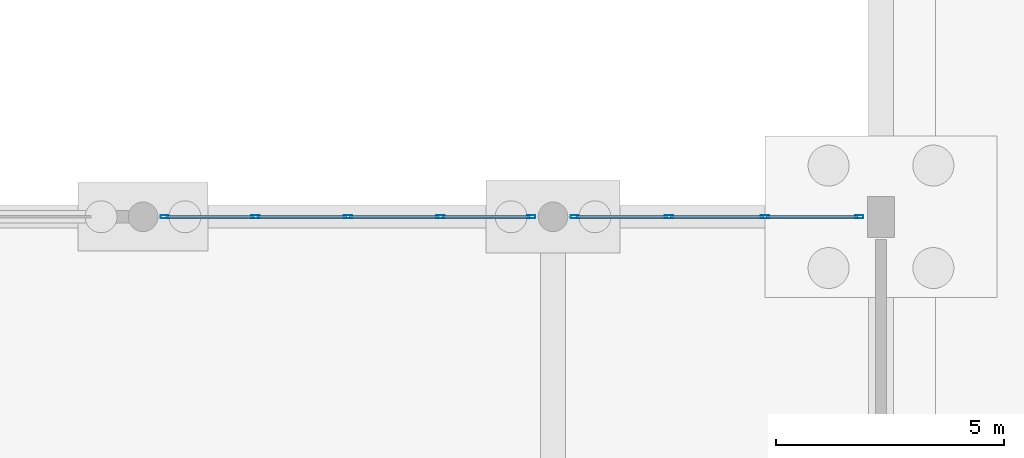
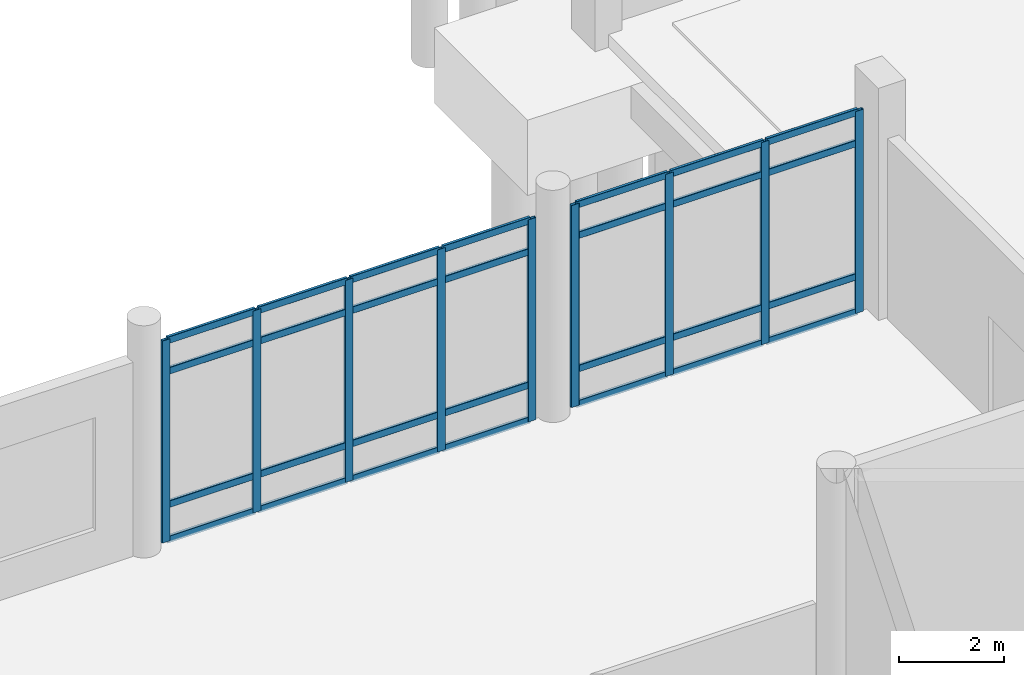
# One storey, part 33 of 109: 37 members, 2 elements without a shape of their own.
"""IFC4 building model written with IfcOpenShell, lengths in metres."""

from ifc_helpers import new_model, si_unit, direction, frame, origin, origin_2d, place, context, subcontext, project, spatial, hollow_rectangle, extrude, material, material_profile, profile_set, type_object, element, aggregate, save


model = new_model("IFC4")

# Units and contexts
model_context = context("Model", 3, precision=1e-05, world=origin(), true_north=direction((0.0, 1.0)))
body_context = subcontext(model_context, "Body", "Model", "MODEL_VIEW")
ifc_project = project(units=[si_unit("LENGTHUNIT", "METRE"), si_unit("AREAUNIT", "SQUARE_METRE"), si_unit("VOLUMEUNIT", "CUBIC_METRE"), si_unit("PLANEANGLEUNIT", "RADIAN"), si_unit("MASSUNIT", "GRAM", prefix="KILO")], contexts=[model_context])

# Site, building, storey
site_placement = place(None, origin())
site = spatial("IfcSite", under=ifc_project, at=site_placement, CompositionType="ELEMENT")
building_placement = place(site_placement, origin())
building = spatial("IfcBuilding", under=site, at=building_placement, Name="Lusvemor Sports Hall", CompositionType="ELEMENT")
storey_placement = place(building_placement, origin())
storey = spatial("IfcBuildingStorey", under=building, at=storey_placement, Name="L00", CompositionType="ELEMENT", Elevation=0.0)

# Curtain wall, members
ifc_material_1 = material(Name="Thermally broken bronze-anodized aluminium", Category="aluminium")
curtain_wall_type = type_object("IfcCurtainWallType", Name="CW_FOYER_A", PredefinedType="NOTDEFINED", material=ifc_material_1)
curtain_wall_1_placement = place(storey_placement, origin())
curtain_wall_1 = element("IfcCurtainWall", 1, at=curtain_wall_1_placement, inside=storey, type_object=curtain_wall_type, Name="Curtain Wall CW-V4N-L00-3", PredefinedType="NOTDEFINED")
ifc_material_2 = material(Name="Thermally broken bronze-anodized aluminium", Category="aluminium")
ifc_material_profile_1 = material_profile(ifc_material_2, hollow_rectangle(XDim=0.070068359375, YDim=0.179931640625, WallThickness=0.0048828125, InnerFilletRadius=0.0048828125, OuterFilletRadius=0.010009765625, at=origin_2d()), Name="CWMUL180x70x5")
ifc_profile_set_1 = profile_set([ifc_material_profile_1], Name="Thermally broken bronze-anodized aluminium")
member_type_1 = type_object("IfcMemberType", Name="CW_MUL_A", PredefinedType="MULLION", material=ifc_profile_set_1)
member_1_placement = place(storey_placement, frame((103.074951171875, 28.800048828125, 0.0), z_axis=(0.0, 0.0, 1.0), x_axis=(0.0, 1.0, 0.0)))
member_1 = element("IfcMember", 2, at=member_1_placement, type_object=member_type_1, Name="CW01 mullion 1", PredefinedType="MULLION", context=body_context, shape_type="SweptSolid", body=[
    extrude(hollow_rectangle(XDim=0.070068359375, YDim=0.179931640625, WallThickness=0.0048828125, InnerFilletRadius=0.0048828125, OuterFilletRadius=0.010009765625, at=origin_2d()), origin(), (0.0, 0.0, 1.0), 4.699951171875),
])
member_2_placement = place(storey_placement, frame((105.070068359375, 28.800048828125, 0.0), z_axis=(0.0, 0.0, 1.0), x_axis=(0.0, 1.0, 0.0)))
member_2 = element("IfcMember", 3, at=member_2_placement, type_object=member_type_1, Name="CW01 mullion 2", PredefinedType="MULLION", context=body_context, shape_type="SweptSolid", body=[
    extrude(hollow_rectangle(XDim=0.070068359375, YDim=0.179931640625, WallThickness=0.0048828125, InnerFilletRadius=0.0048828125, OuterFilletRadius=0.010009765625, at=origin_2d()), origin(), (0.0, 0.0, 1.0), 4.699951171875),
])
member_3_placement = place(storey_placement, frame((107.10009765625, 28.800048828125, 0.0), z_axis=(0.0, 0.0, 1.0), x_axis=(0.0, 1.0, 0.0)))
member_3 = element("IfcMember", 4, at=member_3_placement, type_object=member_type_1, Name="CW01 mullion 3", PredefinedType="MULLION", context=body_context, shape_type="SweptSolid", body=[
    extrude(hollow_rectangle(XDim=0.070068359375, YDim=0.179931640625, WallThickness=0.0048828125, InnerFilletRadius=0.0048828125, OuterFilletRadius=0.010009765625, at=origin_2d()), origin(), (0.0, 0.0, 1.0), 4.699951171875),
])
member_4_placement = place(storey_placement, frame((109.1298828125, 28.800048828125, 0.0), z_axis=(0.0, 0.0, 1.0), x_axis=(0.0, 1.0, 0.0)))
member_4 = element("IfcMember", 5, at=member_4_placement, type_object=member_type_1, Name="CW01 mullion 4", PredefinedType="MULLION", context=body_context, shape_type="SweptSolid", body=[
    extrude(hollow_rectangle(XDim=0.070068359375, YDim=0.179931640625, WallThickness=0.0048828125, InnerFilletRadius=0.0048828125, OuterFilletRadius=0.010009765625, at=origin_2d()), origin(), (0.0, 0.0, 1.0), 4.699951171875),
])
member_5_placement = place(storey_placement, frame((111.125, 28.800048828125, 0.0), z_axis=(0.0, 0.0, 1.0), x_axis=(0.0, 1.0, 0.0)))
member_5 = element("IfcMember", 6, at=member_5_placement, type_object=member_type_1, Name="CW01 mullion 5", PredefinedType="MULLION", context=body_context, shape_type="SweptSolid", body=[
    extrude(hollow_rectangle(XDim=0.070068359375, YDim=0.179931640625, WallThickness=0.0048828125, InnerFilletRadius=0.0048828125, OuterFilletRadius=0.010009765625, at=origin_2d()), origin(), (0.0, 0.0, 1.0), 4.699951171875),
])

curtain_wall_2_placement = place(storey_placement, origin())
curtain_wall_2 = element("IfcCurtainWall", 7, at=curtain_wall_2_placement, inside=storey, type_object=curtain_wall_type, Name="Curtain Wall CW-V4N-L00-4", PredefinedType="NOTDEFINED")
member_6_placement = place(storey_placement, frame((112.074951171875, 28.800048828125, 0.0), z_axis=(0.0, 0.0, 1.0), x_axis=(0.0, 1.0, 0.0)))
member_6 = element("IfcMember", 8, at=member_6_placement, type_object=member_type_1, Name="CW01 mullion 1", PredefinedType="MULLION", context=body_context, shape_type="SweptSolid", body=[
    extrude(hollow_rectangle(XDim=0.070068359375, YDim=0.179931640625, WallThickness=0.0048828125, InnerFilletRadius=0.0048828125, OuterFilletRadius=0.010009765625, at=origin_2d()), origin(), (0.0, 0.0, 1.0), 4.699951171875),
])
member_7_placement = place(storey_placement, frame((114.146728515625, 28.800048828125, 0.0), z_axis=(0.0, 0.0, 1.0), x_axis=(0.0, 1.0, 0.0)))
member_7 = element("IfcMember", 9, at=member_7_placement, type_object=member_type_1, Name="CW01 mullion 2", PredefinedType="MULLION", context=body_context, shape_type="SweptSolid", body=[
    extrude(hollow_rectangle(XDim=0.070068359375, YDim=0.179931640625, WallThickness=0.0048828125, InnerFilletRadius=0.0048828125, OuterFilletRadius=0.010009765625, at=origin_2d()), origin(), (0.0, 0.0, 1.0), 4.699951171875),
])
member_8_placement = place(storey_placement, frame((116.25341796875, 28.800048828125, 0.0), z_axis=(0.0, 0.0, 1.0), x_axis=(0.0, 1.0, 0.0)))
member_8 = element("IfcMember", 10, at=member_8_placement, type_object=member_type_1, Name="CW01 mullion 3", PredefinedType="MULLION", context=body_context, shape_type="SweptSolid", body=[
    extrude(hollow_rectangle(XDim=0.070068359375, YDim=0.179931640625, WallThickness=0.0048828125, InnerFilletRadius=0.0048828125, OuterFilletRadius=0.010009765625, at=origin_2d()), origin(), (0.0, 0.0, 1.0), 4.699951171875),
])
member_9_placement = place(storey_placement, frame((118.324951171875, 28.800048828125, 0.0), z_axis=(0.0, 0.0, 1.0), x_axis=(0.0, 1.0, 0.0)))
member_9 = element("IfcMember", 11, at=member_9_placement, type_object=member_type_1, Name="CW01 mullion 4", PredefinedType="MULLION", context=body_context, shape_type="SweptSolid", body=[
    extrude(hollow_rectangle(XDim=0.070068359375, YDim=0.179931640625, WallThickness=0.0048828125, InnerFilletRadius=0.0048828125, OuterFilletRadius=0.010009765625, at=origin_2d()), origin(), (0.0, 0.0, 1.0), 4.699951171875),
])

# Member
ifc_material_3 = material(Name="Thermally broken bronze-anodized aluminium", Category="aluminium")
ifc_material_profile_2 = material_profile(ifc_material_3, hollow_rectangle(XDim=0.06494140625, YDim=0.159912109375, WallThickness=0.00390625, InnerFilletRadius=0.00390625, OuterFilletRadius=0.008056640625, at=origin_2d()), Name="CWTRN160x65x4")
ifc_profile_set_2 = profile_set([ifc_material_profile_2], Name="Thermally broken bronze-anodized aluminium")
member_type_2 = type_object("IfcMemberType", Name="CW_TRN_A", PredefinedType="USERDEFINED", material=ifc_profile_set_2)
member_10_placement = place(storey_placement, frame((103.110107421875, 28.800048828125, 0.032470703125), z_axis=(1.0, 0.0, 0.0), x_axis=(0.0, 1.0, 0.0)))
member_10 = element("IfcMember", 12, at=member_10_placement, type_object=member_type_2, Name="CW01 transom 1.1", ObjectType="TRANSOM", PredefinedType="USERDEFINED", context=body_context, shape_type="SweptSolid", body=[
    extrude(hollow_rectangle(XDim=0.06494140625, YDim=0.159912109375, WallThickness=0.00390625, InnerFilletRadius=0.00390625, OuterFilletRadius=0.008056640625, at=origin_2d()), origin(), (0.0, 0.0, 1.0), 1.9248046875),
])

member_11_placement = place(storey_placement, frame((103.110107421875, 28.800048828125, 0.85009765625), z_axis=(1.0, 0.0, 0.0), x_axis=(0.0, 1.0, 0.0)))
member_11 = element("IfcMember", 13, at=member_11_placement, type_object=member_type_2, Name="CW01 transom 1.2", ObjectType="TRANSOM", PredefinedType="USERDEFINED", context=body_context, shape_type="SweptSolid", body=[
    extrude(hollow_rectangle(XDim=0.06494140625, YDim=0.159912109375, WallThickness=0.00390625, InnerFilletRadius=0.00390625, OuterFilletRadius=0.008056640625, at=origin_2d()), origin(), (0.0, 0.0, 1.0), 1.9248046875),
])

member_12_placement = place(storey_placement, frame((103.110107421875, 28.800048828125, 3.949951171875), z_axis=(1.0, 0.0, 0.0), x_axis=(0.0, 1.0, 0.0)))
member_12 = element("IfcMember", 14, at=member_12_placement, type_object=member_type_2, Name="CW01 transom 1.3", ObjectType="TRANSOM", PredefinedType="USERDEFINED", context=body_context, shape_type="SweptSolid", body=[
    extrude(hollow_rectangle(XDim=0.06494140625, YDim=0.159912109375, WallThickness=0.00390625, InnerFilletRadius=0.00390625, OuterFilletRadius=0.008056640625, at=origin_2d()), origin(), (0.0, 0.0, 1.0), 1.9248046875),
])

member_13_placement = place(storey_placement, frame((103.110107421875, 28.800048828125, 4.66748046875), z_axis=(1.0, 0.0, 0.0), x_axis=(0.0, 1.0, 0.0)))
member_13 = element("IfcMember", 15, at=member_13_placement, type_object=member_type_2, Name="CW01 transom 1.4", ObjectType="TRANSOM", PredefinedType="USERDEFINED", context=body_context, shape_type="SweptSolid", body=[
    extrude(hollow_rectangle(XDim=0.06494140625, YDim=0.159912109375, WallThickness=0.00390625, InnerFilletRadius=0.00390625, OuterFilletRadius=0.008056640625, at=origin_2d()), origin(), (0.0, 0.0, 1.0), 1.9248046875),
])

member_14_placement = place(storey_placement, frame((105.10498046875, 28.800048828125, 0.032470703125), z_axis=(1.0, 0.0, 0.0), x_axis=(0.0, 1.0, 0.0)))
member_14 = element("IfcMember", 16, at=member_14_placement, type_object=member_type_2, Name="CW01 transom 2.1", ObjectType="TRANSOM", PredefinedType="USERDEFINED", context=body_context, shape_type="SweptSolid", body=[
    extrude(hollow_rectangle(XDim=0.06494140625, YDim=0.159912109375, WallThickness=0.00390625, InnerFilletRadius=0.00390625, OuterFilletRadius=0.008056640625, at=origin_2d()), origin(), (0.0, 0.0, 1.0), 1.9599609375),
])

member_15_placement = place(storey_placement, frame((105.10498046875, 28.800048828125, 0.85009765625), z_axis=(1.0, 0.0, 0.0), x_axis=(0.0, 1.0, 0.0)))
member_15 = element("IfcMember", 17, at=member_15_placement, type_object=member_type_2, Name="CW01 transom 2.2", ObjectType="TRANSOM", PredefinedType="USERDEFINED", context=body_context, shape_type="SweptSolid", body=[
    extrude(hollow_rectangle(XDim=0.06494140625, YDim=0.159912109375, WallThickness=0.00390625, InnerFilletRadius=0.00390625, OuterFilletRadius=0.008056640625, at=origin_2d()), origin(), (0.0, 0.0, 1.0), 1.9599609375),
])

member_16_placement = place(storey_placement, frame((105.10498046875, 28.800048828125, 3.949951171875), z_axis=(1.0, 0.0, 0.0), x_axis=(0.0, 1.0, 0.0)))
member_16 = element("IfcMember", 18, at=member_16_placement, type_object=member_type_2, Name="CW01 transom 2.3", ObjectType="TRANSOM", PredefinedType="USERDEFINED", context=body_context, shape_type="SweptSolid", body=[
    extrude(hollow_rectangle(XDim=0.06494140625, YDim=0.159912109375, WallThickness=0.00390625, InnerFilletRadius=0.00390625, OuterFilletRadius=0.008056640625, at=origin_2d()), origin(), (0.0, 0.0, 1.0), 1.9599609375),
])

member_17_placement = place(storey_placement, frame((105.10498046875, 28.800048828125, 4.66748046875), z_axis=(1.0, 0.0, 0.0), x_axis=(0.0, 1.0, 0.0)))
member_17 = element("IfcMember", 19, at=member_17_placement, type_object=member_type_2, Name="CW01 transom 2.4", ObjectType="TRANSOM", PredefinedType="USERDEFINED", context=body_context, shape_type="SweptSolid", body=[
    extrude(hollow_rectangle(XDim=0.06494140625, YDim=0.159912109375, WallThickness=0.00390625, InnerFilletRadius=0.00390625, OuterFilletRadius=0.008056640625, at=origin_2d()), origin(), (0.0, 0.0, 1.0), 1.9599609375),
])

member_18_placement = place(storey_placement, frame((107.135009765625, 28.800048828125, 0.032470703125), z_axis=(1.0, 0.0, 0.0), x_axis=(0.0, 1.0, 0.0)))
member_18 = element("IfcMember", 20, at=member_18_placement, type_object=member_type_2, Name="CW01 transom 3.1", ObjectType="TRANSOM", PredefinedType="USERDEFINED", context=body_context, shape_type="SweptSolid", body=[
    extrude(hollow_rectangle(XDim=0.06494140625, YDim=0.159912109375, WallThickness=0.00390625, InnerFilletRadius=0.00390625, OuterFilletRadius=0.008056640625, at=origin_2d()), origin(), (0.0, 0.0, 1.0), 1.9599609375),
])

member_19_placement = place(storey_placement, frame((107.135009765625, 28.800048828125, 0.85009765625), z_axis=(1.0, 0.0, 0.0), x_axis=(0.0, 1.0, 0.0)))
member_19 = element("IfcMember", 21, at=member_19_placement, type_object=member_type_2, Name="CW01 transom 3.2", ObjectType="TRANSOM", PredefinedType="USERDEFINED", context=body_context, shape_type="SweptSolid", body=[
    extrude(hollow_rectangle(XDim=0.06494140625, YDim=0.159912109375, WallThickness=0.00390625, InnerFilletRadius=0.00390625, OuterFilletRadius=0.008056640625, at=origin_2d()), origin(), (0.0, 0.0, 1.0), 1.9599609375),
])

member_20_placement = place(storey_placement, frame((107.135009765625, 28.800048828125, 3.949951171875), z_axis=(1.0, 0.0, 0.0), x_axis=(0.0, 1.0, 0.0)))
member_20 = element("IfcMember", 22, at=member_20_placement, type_object=member_type_2, Name="CW01 transom 3.3", ObjectType="TRANSOM", PredefinedType="USERDEFINED", context=body_context, shape_type="SweptSolid", body=[
    extrude(hollow_rectangle(XDim=0.06494140625, YDim=0.159912109375, WallThickness=0.00390625, InnerFilletRadius=0.00390625, OuterFilletRadius=0.008056640625, at=origin_2d()), origin(), (0.0, 0.0, 1.0), 1.9599609375),
])

member_21_placement = place(storey_placement, frame((107.135009765625, 28.800048828125, 4.66748046875), z_axis=(1.0, 0.0, 0.0), x_axis=(0.0, 1.0, 0.0)))
member_21 = element("IfcMember", 23, at=member_21_placement, type_object=member_type_2, Name="CW01 transom 3.4", ObjectType="TRANSOM", PredefinedType="USERDEFINED", context=body_context, shape_type="SweptSolid", body=[
    extrude(hollow_rectangle(XDim=0.06494140625, YDim=0.159912109375, WallThickness=0.00390625, InnerFilletRadius=0.00390625, OuterFilletRadius=0.008056640625, at=origin_2d()), origin(), (0.0, 0.0, 1.0), 1.9599609375),
])

member_22_placement = place(storey_placement, frame((109.1650390625, 28.800048828125, 0.032470703125), z_axis=(1.0, 0.0, 0.0), x_axis=(0.0, 1.0, 0.0)))
member_22 = element("IfcMember", 24, at=member_22_placement, type_object=member_type_2, Name="CW01 transom 4.1", ObjectType="TRANSOM", PredefinedType="USERDEFINED", context=body_context, shape_type="SweptSolid", body=[
    extrude(hollow_rectangle(XDim=0.06494140625, YDim=0.159912109375, WallThickness=0.00390625, InnerFilletRadius=0.00390625, OuterFilletRadius=0.008056640625, at=origin_2d()), origin(), (0.0, 0.0, 1.0), 1.925048828125),
])

member_23_placement = place(storey_placement, frame((109.1650390625, 28.800048828125, 0.85009765625), z_axis=(1.0, 0.0, 0.0), x_axis=(0.0, 1.0, 0.0)))
member_23 = element("IfcMember", 25, at=member_23_placement, type_object=member_type_2, Name="CW01 transom 4.2", ObjectType="TRANSOM", PredefinedType="USERDEFINED", context=body_context, shape_type="SweptSolid", body=[
    extrude(hollow_rectangle(XDim=0.06494140625, YDim=0.159912109375, WallThickness=0.00390625, InnerFilletRadius=0.00390625, OuterFilletRadius=0.008056640625, at=origin_2d()), origin(), (0.0, 0.0, 1.0), 1.925048828125),
])

member_24_placement = place(storey_placement, frame((109.1650390625, 28.800048828125, 3.949951171875), z_axis=(1.0, 0.0, 0.0), x_axis=(0.0, 1.0, 0.0)))
member_24 = element("IfcMember", 26, at=member_24_placement, type_object=member_type_2, Name="CW01 transom 4.3", ObjectType="TRANSOM", PredefinedType="USERDEFINED", context=body_context, shape_type="SweptSolid", body=[
    extrude(hollow_rectangle(XDim=0.06494140625, YDim=0.159912109375, WallThickness=0.00390625, InnerFilletRadius=0.00390625, OuterFilletRadius=0.008056640625, at=origin_2d()), origin(), (0.0, 0.0, 1.0), 1.925048828125),
])

member_25_placement = place(storey_placement, frame((109.1650390625, 28.800048828125, 4.66748046875), z_axis=(1.0, 0.0, 0.0), x_axis=(0.0, 1.0, 0.0)))
member_25 = element("IfcMember", 27, at=member_25_placement, type_object=member_type_2, Name="CW01 transom 4.4", ObjectType="TRANSOM", PredefinedType="USERDEFINED", context=body_context, shape_type="SweptSolid", body=[
    extrude(hollow_rectangle(XDim=0.06494140625, YDim=0.159912109375, WallThickness=0.00390625, InnerFilletRadius=0.00390625, OuterFilletRadius=0.008056640625, at=origin_2d()), origin(), (0.0, 0.0, 1.0), 1.925048828125),
])

aggregate(curtain_wall_1, [member_1, member_2, member_3, member_4, member_5, member_10, member_11, member_12, member_13, member_14, member_15, member_16, member_17, member_18, member_19, member_20, member_21, member_22, member_23, member_24, member_25])

member_26_placement = place(storey_placement, frame((112.110107421875, 28.800048828125, 0.032470703125), z_axis=(1.0, 0.0, 0.0), x_axis=(0.0, 1.0, 0.0)))
member_26 = element("IfcMember", 28, at=member_26_placement, type_object=member_type_2, Name="CW01 transom 1.1", ObjectType="TRANSOM", PredefinedType="USERDEFINED", context=body_context, shape_type="SweptSolid", body=[
    extrude(hollow_rectangle(XDim=0.06494140625, YDim=0.159912109375, WallThickness=0.00390625, InnerFilletRadius=0.00390625, OuterFilletRadius=0.008056640625, at=origin_2d()), origin(), (0.0, 0.0, 1.0), 2.00146484375),
])

member_27_placement = place(storey_placement, frame((112.110107421875, 28.800048828125, 0.85009765625), z_axis=(1.0, 0.0, 0.0), x_axis=(0.0, 1.0, 0.0)))
member_27 = element("IfcMember", 29, at=member_27_placement, type_object=member_type_2, Name="CW01 transom 1.2", ObjectType="TRANSOM", PredefinedType="USERDEFINED", context=body_context, shape_type="SweptSolid", body=[
    extrude(hollow_rectangle(XDim=0.06494140625, YDim=0.159912109375, WallThickness=0.00390625, InnerFilletRadius=0.00390625, OuterFilletRadius=0.008056640625, at=origin_2d()), origin(), (0.0, 0.0, 1.0), 2.00146484375),
])

member_28_placement = place(storey_placement, frame((112.110107421875, 28.800048828125, 3.949951171875), z_axis=(1.0, 0.0, 0.0), x_axis=(0.0, 1.0, 0.0)))
member_28 = element("IfcMember", 30, at=member_28_placement, type_object=member_type_2, Name="CW01 transom 1.3", ObjectType="TRANSOM", PredefinedType="USERDEFINED", context=body_context, shape_type="SweptSolid", body=[
    extrude(hollow_rectangle(XDim=0.06494140625, YDim=0.159912109375, WallThickness=0.00390625, InnerFilletRadius=0.00390625, OuterFilletRadius=0.008056640625, at=origin_2d()), origin(), (0.0, 0.0, 1.0), 2.00146484375),
])

member_29_placement = place(storey_placement, frame((112.110107421875, 28.800048828125, 4.66748046875), z_axis=(1.0, 0.0, 0.0), x_axis=(0.0, 1.0, 0.0)))
member_29 = element("IfcMember", 31, at=member_29_placement, type_object=member_type_2, Name="CW01 transom 1.4", ObjectType="TRANSOM", PredefinedType="USERDEFINED", context=body_context, shape_type="SweptSolid", body=[
    extrude(hollow_rectangle(XDim=0.06494140625, YDim=0.159912109375, WallThickness=0.00390625, InnerFilletRadius=0.00390625, OuterFilletRadius=0.008056640625, at=origin_2d()), origin(), (0.0, 0.0, 1.0), 2.00146484375),
])

member_30_placement = place(storey_placement, frame((114.181640625, 28.800048828125, 0.032470703125), z_axis=(1.0, 0.0, 0.0), x_axis=(0.0, 1.0, 0.0)))
member_30 = element("IfcMember", 32, at=member_30_placement, type_object=member_type_2, Name="CW01 transom 2.1", ObjectType="TRANSOM", PredefinedType="USERDEFINED", context=body_context, shape_type="SweptSolid", body=[
    extrude(hollow_rectangle(XDim=0.06494140625, YDim=0.159912109375, WallThickness=0.00390625, InnerFilletRadius=0.00390625, OuterFilletRadius=0.008056640625, at=origin_2d()), origin(), (0.0, 0.0, 1.0), 2.03662109375),
])

member_31_placement = place(storey_placement, frame((114.181640625, 28.800048828125, 0.85009765625), z_axis=(1.0, 0.0, 0.0), x_axis=(0.0, 1.0, 0.0)))
member_31 = element("IfcMember", 33, at=member_31_placement, type_object=member_type_2, Name="CW01 transom 2.2", ObjectType="TRANSOM", PredefinedType="USERDEFINED", context=body_context, shape_type="SweptSolid", body=[
    extrude(hollow_rectangle(XDim=0.06494140625, YDim=0.159912109375, WallThickness=0.00390625, InnerFilletRadius=0.00390625, OuterFilletRadius=0.008056640625, at=origin_2d()), origin(), (0.0, 0.0, 1.0), 2.03662109375),
])

member_32_placement = place(storey_placement, frame((114.181640625, 28.800048828125, 3.949951171875), z_axis=(1.0, 0.0, 0.0), x_axis=(0.0, 1.0, 0.0)))
member_32 = element("IfcMember", 34, at=member_32_placement, type_object=member_type_2, Name="CW01 transom 2.3", ObjectType="TRANSOM", PredefinedType="USERDEFINED", context=body_context, shape_type="SweptSolid", body=[
    extrude(hollow_rectangle(XDim=0.06494140625, YDim=0.159912109375, WallThickness=0.00390625, InnerFilletRadius=0.00390625, OuterFilletRadius=0.008056640625, at=origin_2d()), origin(), (0.0, 0.0, 1.0), 2.03662109375),
])

member_33_placement = place(storey_placement, frame((114.181640625, 28.800048828125, 4.66748046875), z_axis=(1.0, 0.0, 0.0), x_axis=(0.0, 1.0, 0.0)))
member_33 = element("IfcMember", 35, at=member_33_placement, type_object=member_type_2, Name="CW01 transom 2.4", ObjectType="TRANSOM", PredefinedType="USERDEFINED", context=body_context, shape_type="SweptSolid", body=[
    extrude(hollow_rectangle(XDim=0.06494140625, YDim=0.159912109375, WallThickness=0.00390625, InnerFilletRadius=0.00390625, OuterFilletRadius=0.008056640625, at=origin_2d()), origin(), (0.0, 0.0, 1.0), 2.03662109375),
])

member_34_placement = place(storey_placement, frame((116.288330078125, 28.800048828125, 0.032470703125), z_axis=(1.0, 0.0, 0.0), x_axis=(0.0, 1.0, 0.0)))
member_34 = element("IfcMember", 36, at=member_34_placement, type_object=member_type_2, Name="CW01 transom 3.1", ObjectType="TRANSOM", PredefinedType="USERDEFINED", context=body_context, shape_type="SweptSolid", body=[
    extrude(hollow_rectangle(XDim=0.06494140625, YDim=0.159912109375, WallThickness=0.00390625, InnerFilletRadius=0.00390625, OuterFilletRadius=0.008056640625, at=origin_2d()), origin(), (0.0, 0.0, 1.0), 2.001708984375),
])

member_35_placement = place(storey_placement, frame((116.288330078125, 28.800048828125, 0.85009765625), z_axis=(1.0, 0.0, 0.0), x_axis=(0.0, 1.0, 0.0)))
member_35 = element("IfcMember", 37, at=member_35_placement, type_object=member_type_2, Name="CW01 transom 3.2", ObjectType="TRANSOM", PredefinedType="USERDEFINED", context=body_context, shape_type="SweptSolid", body=[
    extrude(hollow_rectangle(XDim=0.06494140625, YDim=0.159912109375, WallThickness=0.00390625, InnerFilletRadius=0.00390625, OuterFilletRadius=0.008056640625, at=origin_2d()), origin(), (0.0, 0.0, 1.0), 2.001708984375),
])

member_36_placement = place(storey_placement, frame((116.288330078125, 28.800048828125, 3.949951171875), z_axis=(1.0, 0.0, 0.0), x_axis=(0.0, 1.0, 0.0)))
member_36 = element("IfcMember", 38, at=member_36_placement, type_object=member_type_2, Name="CW01 transom 3.3", ObjectType="TRANSOM", PredefinedType="USERDEFINED", context=body_context, shape_type="SweptSolid", body=[
    extrude(hollow_rectangle(XDim=0.06494140625, YDim=0.159912109375, WallThickness=0.00390625, InnerFilletRadius=0.00390625, OuterFilletRadius=0.008056640625, at=origin_2d()), origin(), (0.0, 0.0, 1.0), 2.001708984375),
])

member_37_placement = place(storey_placement, frame((116.288330078125, 28.800048828125, 4.66748046875), z_axis=(1.0, 0.0, 0.0), x_axis=(0.0, 1.0, 0.0)))
member_37 = element("IfcMember", 39, at=member_37_placement, type_object=member_type_2, Name="CW01 transom 3.4", ObjectType="TRANSOM", PredefinedType="USERDEFINED", context=body_context, shape_type="SweptSolid", body=[
    extrude(hollow_rectangle(XDim=0.06494140625, YDim=0.159912109375, WallThickness=0.00390625, InnerFilletRadius=0.00390625, OuterFilletRadius=0.008056640625, at=origin_2d()), origin(), (0.0, 0.0, 1.0), 2.001708984375),
])

aggregate(curtain_wall_2, [member_6, member_7, member_8, member_9, member_26, member_27, member_28, member_29, member_30, member_31, member_32, member_33, member_34, member_35, member_36, member_37])

save(model, "model.ifc")
